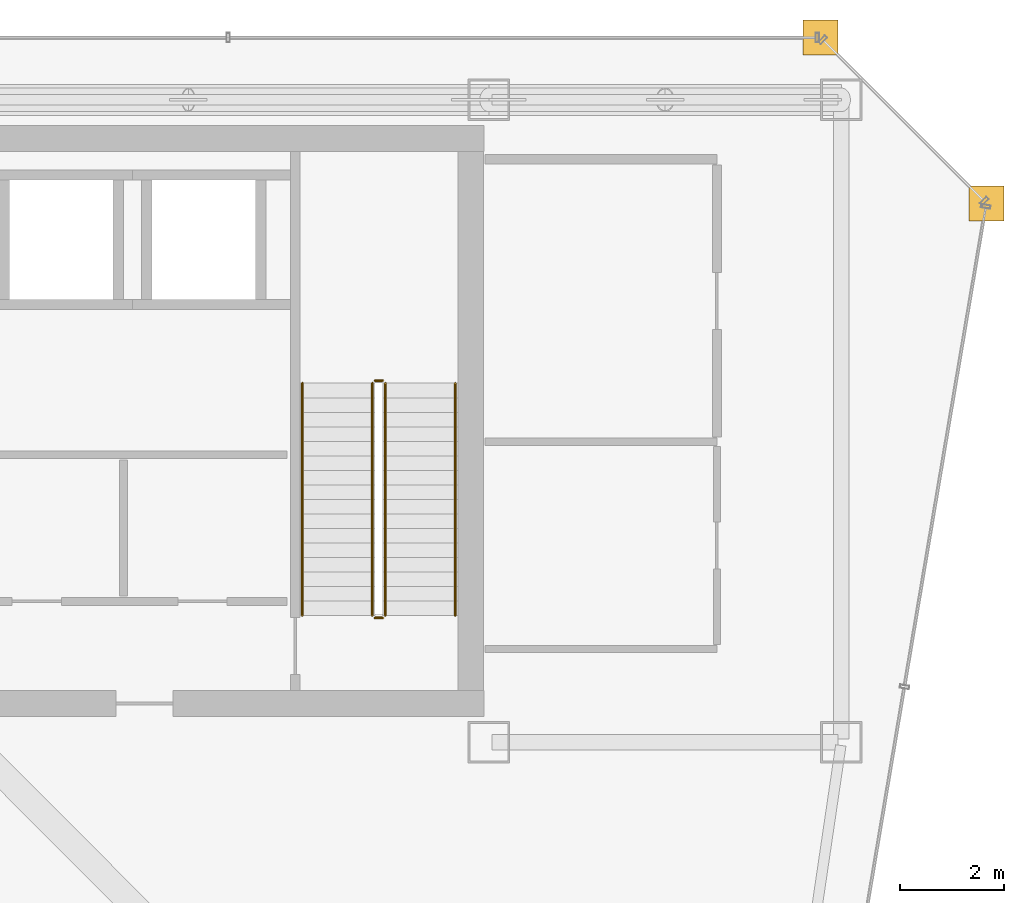
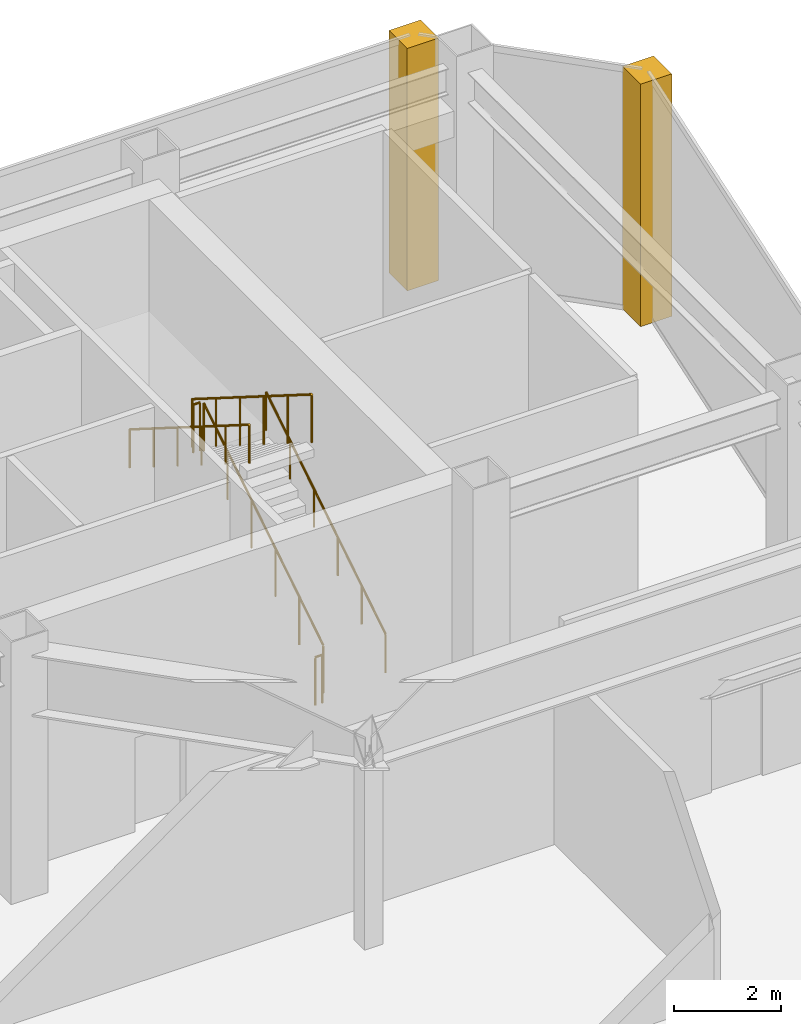
# One storey, part 34 of 34: 6 railings, 2 coverings.
"""IFC4 building model written with IfcOpenShell, lengths in metres."""

from ifc_helpers import new_model, si_unit, direction, frame, origin, origin_2d, place, context, subcontext, project, spatial, polyline, circle, outline, extrude, material, layer, layer_set, type_object, element, save


model = new_model("IFC4")

# Units and contexts
model_context = context("Model", 3, precision=1e-05, world=origin(), true_north=direction((0.0, 1.0)))
body_context = subcontext(model_context, "Body", "Model", "MODEL_VIEW")
ifc_project = project(units=[si_unit("LENGTHUNIT", "METRE"), si_unit("AREAUNIT", "SQUARE_METRE"), si_unit("VOLUMEUNIT", "CUBIC_METRE"), si_unit("PLANEANGLEUNIT", "RADIAN"), si_unit("MASSUNIT", "GRAM", prefix="KILO")], contexts=[model_context])

# Site, building, storey
site_placement = place(None, origin())
site = spatial("IfcSite", under=ifc_project, at=site_placement, CompositionType="ELEMENT")
building_placement = place(site_placement, origin())
building = spatial("IfcBuilding", under=site, at=building_placement, Name="Saevonmaru Cultural Tower", CompositionType="ELEMENT")
storey_placement = place(building_placement, frame((0.0, 0.0, 224.60009765625)))
storey = spatial("IfcBuildingStorey", under=building, at=storey_placement, Name="L52", CompositionType="ELEMENT", Elevation=224.60009765625)

# Coverings
ifc_material_1 = material(Name="Satin Bronze Anodised Aluminium", Category="aluminium")
ifc_layer = layer(ifc_material_1, 0.679931640625, Name="Satin Bronze Anodised Aluminium")
ifc_layer_set = layer_set([ifc_layer], Name="Satin Bronze Anodised Aluminium")
covering_type = type_object("IfcCoveringType", Name="CV-CORNER-CLAD", PredefinedType="CLADDING", material=ifc_layer_set)
covering_1_placement = place(storey_placement, origin())
element("IfcCovering", 1, at=covering_1_placement, inside=storey, type_object=covering_type, Name="L52 Tower Bronze Corner Cladding Pier 9", PredefinedType="CLADDING", context=body_context, shape_type="SweptSolid", body=[
    extrude(outline(polyline([(55.659912109375, 52.4599609375), (56.340087890625, 52.4599609375), (56.340087890625, 53.139892578125), (55.659912109375, 53.139892578125), (55.659912109375, 52.4599609375)])), origin(), (0.0, 0.0, 1.0), 5.5498046875),
])
covering_2_placement = place(storey_placement, origin())
element("IfcCovering", 2, at=covering_2_placement, inside=storey, type_object=covering_type, Name="L52 Tower Bronze Corner Cladding Pier 10", PredefinedType="CLADDING", context=body_context, shape_type="SweptSolid", body=[
    extrude(outline(polyline([(52.4599609375, 55.659912109375), (53.139892578125, 55.659912109375), (53.139892578125, 56.340087890625), (52.4599609375, 56.340087890625), (52.4599609375, 55.659912109375)])), origin(), (0.0, 0.0, 1.0), 5.5498046875),
])

# Railings
ifc_material_2 = material(Name="Architectural Painted Steel", Category="steel")
railing_type_1 = type_object("IfcRailingType", Name="RL-STAIR-GUARD", PredefinedType="GUARDRAIL", material=ifc_material_2)
railing_1_placement = place(storey_placement, frame((44.39990234375, 44.85009765625, 0.17626953125)))
element("IfcRailing", 3, at=railing_1_placement, inside=storey, type_object=railing_type_1, Name="L52 ST-2 stair guard 1", PredefinedType="GUARDRAIL", context=body_context, shape_type="SweptSolid", body=[
    extrude(circle(Radius=0.02392578125, at=origin_2d()), frame((0.0, 0.0, 1.09619140625), z_axis=(0.0, 0.845977142166, 0.533219162196), x_axis=(-1.0, 0.0, 0.0)), (0.0, 0.0, 1.0), 5.295654296875),
    extrude(circle(Radius=0.02099609375, at=origin_2d()), origin(), (0.0, 0.0, 1.0), 1.072021484375),
    extrude(circle(Radius=0.02099609375, at=origin_2d()), frame((0.0, 0.89599609375, 0.564697265625)), (0.0, 0.0, 1.0), 1.072021484375),
    extrude(circle(Radius=0.02099609375, at=origin_2d()), frame((0.0, 1.7919921875, 1.12939453125)), (0.0, 0.0, 1.0), 1.072021484375),
    extrude(circle(Radius=0.02099609375, at=origin_2d()), frame((0.0, 2.68798828125, 1.6943359375)), (0.0, 0.0, 1.0), 1.072021484375),
    extrude(circle(Radius=0.02099609375, at=origin_2d()), frame((0.0, 3.583984375, 2.259033203125)), (0.0, 0.0, 1.0), 1.072021484375),
    extrude(circle(Radius=0.02099609375, at=origin_2d()), frame((0.0, 4.47998046875, 2.82373046875)), (0.0, 0.0, 1.0), 1.072021484375),
])
railing_2_placement = place(storey_placement, frame((44.35009765625, 49.3798828125, 3.0)))
element("IfcRailing", 4, at=railing_2_placement, inside=storey, type_object=railing_type_1, Name="L52 ST-2 stair guard 2", PredefinedType="GUARDRAIL", context=body_context, shape_type="SweptSolid", body=[
    extrude(circle(Radius=0.02392578125, at=origin_2d()), frame((0.0, 0.0, 1.09619140625), z_axis=(-1.0, 0.0, 0.0), x_axis=(0.0, -1.0, 0.0)), (0.0, 0.0, 1.0), 0.150146484375),
    extrude(circle(Radius=0.02099609375, at=origin_2d()), origin(), (0.0, 0.0, 1.0), 1.072021484375),
    extrude(circle(Radius=0.02099609375, at=origin_2d()), frame((-0.150146484375, 0.0, 0.0)), (0.0, 0.0, 1.0), 1.072021484375),
])
railing_3_placement = place(storey_placement, frame((44.14990234375, 49.330078125, 3.17626953125)))
element("IfcRailing", 5, at=railing_3_placement, inside=storey, type_object=railing_type_1, Name="L52 ST-2 stair guard 3", PredefinedType="GUARDRAIL", context=body_context, shape_type="SweptSolid", body=[
    extrude(circle(Radius=0.02392578125, at=origin_2d()), frame((0.0, 0.0, 1.09619140625), z_axis=(0.0, -0.845977142166, 0.533219162196), x_axis=(1.0, 0.0, 0.0)), (0.0, 0.0, 1.0), 5.295654296875),
    extrude(circle(Radius=0.02099609375, at=origin_2d()), origin(), (0.0, 0.0, 1.0), 1.072021484375),
    extrude(circle(Radius=0.02099609375, at=origin_2d()), frame((0.0, -0.89599609375, 0.564697265625)), (0.0, 0.0, 1.0), 1.072021484375),
    extrude(circle(Radius=0.02099609375, at=origin_2d()), frame((0.0, -1.7919921875, 1.12939453125)), (0.0, 0.0, 1.0), 1.072021484375),
    extrude(circle(Radius=0.02099609375, at=origin_2d()), frame((0.0, -2.68798828125, 1.6943359375)), (0.0, 0.0, 1.0), 1.072021484375),
    extrude(circle(Radius=0.02099609375, at=origin_2d()), frame((0.0, -3.583984375, 2.259033203125)), (0.0, 0.0, 1.0), 1.072021484375),
    extrude(circle(Radius=0.02099609375, at=origin_2d()), frame((0.0, -4.47998046875, 2.82373046875)), (0.0, 0.0, 1.0), 1.072021484375),
])
railing_4_placement = place(storey_placement, frame((44.35009765625, 44.800048828125, 0.0)))
element("IfcRailing", 6, at=railing_4_placement, inside=storey, type_object=railing_type_1, Name="L52 ST-2 stair guard 4", PredefinedType="GUARDRAIL", context=body_context, shape_type="SweptSolid", body=[
    extrude(circle(Radius=0.02392578125, at=origin_2d()), frame((0.0, 0.0, 1.09619140625), z_axis=(-1.0, 0.0, 0.0), x_axis=(0.0, -1.0, 0.0)), (0.0, 0.0, 1.0), 0.150146484375),
    extrude(circle(Radius=0.02099609375, at=origin_2d()), origin(), (0.0, 0.0, 1.0), 1.072021484375),
    extrude(circle(Radius=0.02099609375, at=origin_2d()), frame((-0.150146484375, 0.0, 0.0)), (0.0, 0.0, 1.0), 1.072021484375),
])
railing_type_2 = type_object("IfcRailingType", Name="RL-STAIR-HANDRAIL", PredefinedType="HANDRAIL", material=ifc_material_1)
railing_5_placement = place(storey_placement, frame((45.75, 44.85009765625, 0.17626953125)))
element("IfcRailing", 7, at=railing_5_placement, inside=storey, type_object=railing_type_2, Name="L52 ST-2 stair handrail 1", PredefinedType="HANDRAIL", context=body_context, shape_type="SweptSolid", body=[
    extrude(circle(Radius=0.02392578125, at=origin_2d()), frame((0.0, 0.0, 0.8759765625), z_axis=(0.0, 0.845977142166, 0.533219162196), x_axis=(-1.0, 0.0, 0.0)), (0.0, 0.0, 1.0), 5.295654296875),
    extrude(circle(Radius=0.02099609375, at=origin_2d()), origin(), (0.0, 0.0, 1.0), 0.851806640625),
    extrude(circle(Radius=0.02099609375, at=origin_2d()), frame((0.0, 0.89599609375, 0.564697265625)), (0.0, 0.0, 1.0), 0.851806640625),
    extrude(circle(Radius=0.02099609375, at=origin_2d()), frame((0.0, 1.7919921875, 1.12939453125)), (0.0, 0.0, 1.0), 0.851806640625),
    extrude(circle(Radius=0.02099609375, at=origin_2d()), frame((0.0, 2.68798828125, 1.6943359375)), (0.0, 0.0, 1.0), 0.851806640625),
    extrude(circle(Radius=0.02099609375, at=origin_2d()), frame((0.0, 3.583984375, 2.259033203125)), (0.0, 0.0, 1.0), 0.851806640625),
    extrude(circle(Radius=0.02099609375, at=origin_2d()), frame((0.0, 4.47998046875, 2.82373046875)), (0.0, 0.0, 1.0), 0.851806640625),
])
railing_6_placement = place(storey_placement, frame((42.800048828125, 49.330078125, 3.17626953125)))
element("IfcRailing", 8, at=railing_6_placement, inside=storey, type_object=railing_type_2, Name="L52 ST-2 stair handrail 2", PredefinedType="HANDRAIL", context=body_context, shape_type="SweptSolid", body=[
    extrude(circle(Radius=0.02392578125, at=origin_2d()), frame((0.0, 0.0, 0.8759765625), z_axis=(0.0, -0.845977142166, 0.533219162196), x_axis=(1.0, 0.0, 0.0)), (0.0, 0.0, 1.0), 5.295654296875),
    extrude(circle(Radius=0.02099609375, at=origin_2d()), origin(), (0.0, 0.0, 1.0), 0.851806640625),
    extrude(circle(Radius=0.02099609375, at=origin_2d()), frame((0.0, -0.89599609375, 0.564697265625)), (0.0, 0.0, 1.0), 0.851806640625),
    extrude(circle(Radius=0.02099609375, at=origin_2d()), frame((0.0, -1.7919921875, 1.12939453125)), (0.0, 0.0, 1.0), 0.851806640625),
    extrude(circle(Radius=0.02099609375, at=origin_2d()), frame((0.0, -2.68798828125, 1.6943359375)), (0.0, 0.0, 1.0), 0.851806640625),
    extrude(circle(Radius=0.02099609375, at=origin_2d()), frame((0.0, -3.583984375, 2.259033203125)), (0.0, 0.0, 1.0), 0.851806640625),
    extrude(circle(Radius=0.02099609375, at=origin_2d()), frame((0.0, -4.47998046875, 2.82373046875)), (0.0, 0.0, 1.0), 0.851806640625),
])

save(model, "model.ifc")
